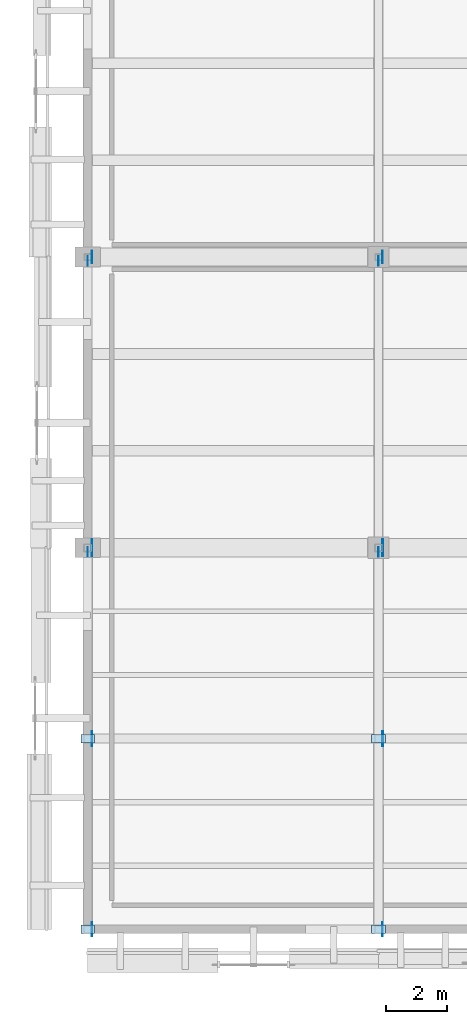
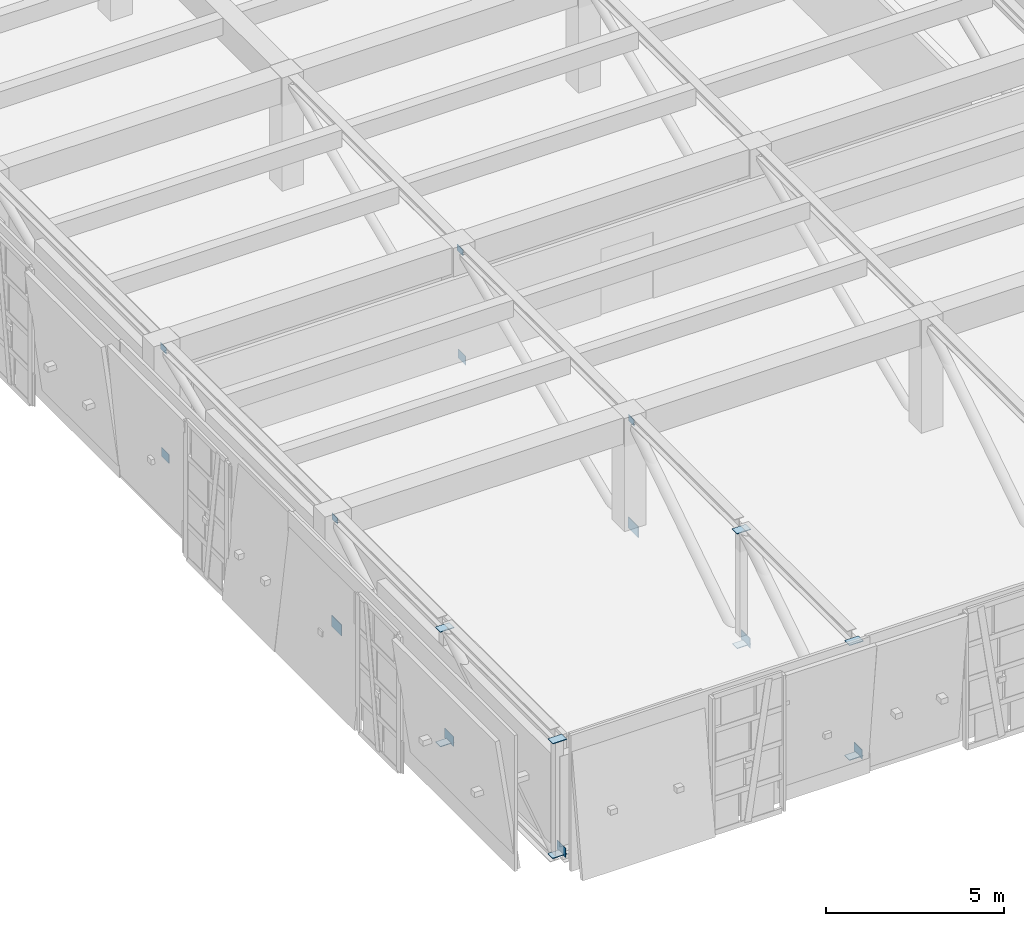
# One storey, part 35 of 62: 20 plates.
"""IFC4 building model written with IfcOpenShell, lengths in metres."""

import ifcopenshell
import ifcopenshell.guid

model = None  # the IFC model being written
_history = None  # IfcOwnerHistory: only IFC2X3 demands one
_inside = {}  # id of a spatial element -> (the spatial element, [elements in it])
_under = {}  # id of a project, library or spatial element -> (it, [spatial elements below it])
_declared = {}  # id of a project -> (the project, [libraries it declares])
_typed = {}  # id of a type object -> (the type object, [elements of that type])
_made_of = {}  # id of a material, layer set ... -> (it, [elements and type objects made of it])


def new_model(schema):
    """Start an empty IFC model of exactly this schema.

    Asked for "IFC4X3", IfcOpenShell would pick the latest addendum, in which some entities
    have other attributes; the version numbers below select the first issue.
    IFC2X3 requires an IfcOwnerHistory on every rooted entity: one is made here for all.
    """
    global model, _history
    if schema == "IFC4X3":
        model = ifcopenshell.file(schema_version=(4, 3, 0, 0))
    else:
        model = ifcopenshell.file(schema=schema)
    _inside.clear()
    _under.clear()
    _declared.clear()
    _typed.clear()
    _made_of.clear()
    _history = None
    if model.schema == "IFC2X3":
        org = make("IfcOrganization", Name="unknown")
        user = make(
            "IfcPersonAndOrganization",
            ThePerson=make("IfcPerson", FamilyName="unknown"),
            TheOrganization=org,
        )
        app = make(
            "IfcApplication",
            ApplicationDeveloper=org,
            Version="unknown",
            ApplicationFullName="unknown",
            ApplicationIdentifier="unknown",
        )
        _history = make(
            "IfcOwnerHistory",
            OwningUser=user,
            OwningApplication=app,
            ChangeAction="ADDED",
            CreationDate=0,
        )
    return model


def make(cls, **values):
    """One entity of the class cls with the attributes given. An attribute that is None is left unset."""
    return model.create_entity(
        cls, **{name: value for name, value in values.items() if value is not None}
    )


def rooted(cls, **values):
    """An entity with a GlobalId (a new one), such as an element, a storey or a relation."""
    return make(cls, GlobalId=ifcopenshell.guid.new(), OwnerHistory=_history, **values)


def si_unit(unit_type, name, prefix=None):
    """IfcSIUnit, for example si_unit("LENGTHUNIT", "METRE", prefix="MILLI")."""
    return make("IfcSIUnit", UnitType=unit_type, Prefix=prefix, Name=name)


def assignment(units):
    """IfcUnitAssignment: the units of a project."""
    return None if units is None else make("IfcUnitAssignment", Units=units)


def point(xyz):
    """IfcCartesianPoint."""
    return None if xyz is None else make("IfcCartesianPoint", Coordinates=xyz)


def direction(xyz):
    """IfcDirection."""
    return None if xyz is None else make("IfcDirection", DirectionRatios=xyz)


def frame(location, z_axis=None, x_axis=None):
    """IfcAxis2Placement3D, a coordinate frame: its origin and axes. An axis left out is left unset."""
    return make(
        "IfcAxis2Placement3D",
        Location=point(location),
        Axis=direction(z_axis),
        RefDirection=direction(x_axis),
    )


def frame_2d(location, x_axis=None):
    """IfcAxis2Placement2D, a coordinate frame in the plane: its origin and x axis."""
    return make(
        "IfcAxis2Placement2D", Location=point(location), RefDirection=direction(x_axis)
    )


def origin():
    """The frame at (0, 0, 0) with its axes left unset."""
    return frame((0.0, 0.0, 0.0))


def origin_2d():
    """The frame at (0, 0) in the plane with its x axis left unset."""
    return frame_2d((0.0, 0.0))


def place(relative_to, where):
    """IfcLocalPlacement: puts the frame where relative to a parent placement (None: the world)."""
    return make(
        "IfcLocalPlacement", PlacementRelTo=relative_to, RelativePlacement=where
    )


def context(
    kind, dimensions, precision=None, world=None, true_north=None, identifier=None
):
    """IfcGeometricRepresentationContext, for example the 3D "Model" context."""
    return make(
        "IfcGeometricRepresentationContext",
        ContextIdentifier=identifier,
        ContextType=kind,
        CoordinateSpaceDimension=dimensions,
        Precision=precision,
        WorldCoordinateSystem=world,
        TrueNorth=true_north,
    )


def subcontext(parent, identifier, kind, view, scale=None):
    """IfcGeometricRepresentationSubContext, for example "Body" below "Model"."""
    return make(
        "IfcGeometricRepresentationSubContext",
        ContextIdentifier=identifier,
        ContextType=kind,
        ParentContext=parent,
        TargetScale=scale,
        TargetView=view,
    )


def project(units=None, contexts=None):
    """IfcProject with its units and contexts."""
    return rooted(
        "IfcProject",
        Name="project",
        RepresentationContexts=contexts,
        UnitsInContext=assignment(units),
    )


def spatial(cls, under=None, at=None, **own):
    """A site, building, storey or space (cls), placed at a placement, below another one or the project."""
    s = rooted(cls, ObjectPlacement=at, **own)
    if under is not None:
        _under.setdefault(under.id(), (under, []))[1].append(s)
    return s


def profile(cls, at=None, kind="AREA", **sizes):
    """A parametric profile (cls). Its sizes go by their IFC names, for example OverallWidth=200.0."""
    return make(cls, ProfileType=kind, Position=at, **sizes)


def rectangle(**sizes):
    """IfcRectangleProfileDef."""
    return profile("IfcRectangleProfileDef", **sizes)


def extrude(swept, where, along, depth):
    """IfcExtrudedAreaSolid: the profile swept, set in the frame where, extruded along a direction by depth."""
    return make(
        "IfcExtrudedAreaSolid",
        SweptArea=swept,
        Position=where,
        ExtrudedDirection=direction(along),
        Depth=depth,
    )


def shape(context_of_items, identifier, shape_type, items):
    """IfcShapeRepresentation: the items that make up one representation, for example the "Body"."""
    return make(
        "IfcShapeRepresentation",
        ContextOfItems=context_of_items,
        RepresentationIdentifier=identifier,
        RepresentationType=shape_type,
        Items=items,
    )


def material(Name=None, Category=None):
    """IfcMaterial."""
    return make("IfcMaterial", Name=Name, Category=Category)


def layer(
    of_material, thickness, ventilated=None, Name=None, Category=None, Priority=None
):
    """IfcMaterialLayer: one layer of a wall or slab, of a material (None: an air gap)."""
    return make(
        "IfcMaterialLayer",
        Material=of_material,
        LayerThickness=thickness,
        IsVentilated=ventilated,
        Name=Name,
        Category=Category,
        Priority=Priority,
    )


def layer_set(layers, Name=None):
    """IfcMaterialLayerSet."""
    return make("IfcMaterialLayerSet", MaterialLayers=layers, LayerSetName=Name)


def made_of(thing, what):
    """Note that an element or type object is made of a material, layer set ...; save() writes the relation."""
    if what is not None:
        _made_of.setdefault(what.id(), (what, []))[1].append(thing)
    return thing


def type_object(cls, material=None, **own):
    """A type object (cls), such as IfcWallType, which elements share."""
    return made_of(rooted(cls, **own), material)


def element(
    cls,
    number,
    at=None,
    inside=None,
    cuts=None,
    type_object=None,
    material=None,
    context=None,
    identifier="Body",
    shape_type=None,
    held_by="IfcProductDefinitionShape",
    body=None,
    shapes=None,
    **own,
):
    """One element of the class cls, such as IfcWall. Its Tag is "e" and its number.

    at: its placement. inside: the storey or other place that contains it. cuts: it is an
    opening in that element (IfcRelVoidsElement). A single representation is given by context,
    identifier, shape_type and body (its items); several are given by shapes. held_by: the class
    of the entity that holds the representations. save() writes the other relations.
    """
    e = rooted(cls, Tag="e%d" % number, ObjectPlacement=at, **own)
    if body is not None:
        shapes = [shape(context, identifier, shape_type, body)]
    if shapes is not None:
        e.Representation = make(held_by, Representations=shapes)
    if inside is not None:
        _inside.setdefault(inside.id(), (inside, []))[1].append(e)
    if cuts is not None:
        rooted(
            "IfcRelVoidsElement", RelatingBuildingElement=cuts, RelatedOpeningElement=e
        )
    if type_object is not None:
        _typed.setdefault(type_object.id(), (type_object, []))[1].append(e)
    return made_of(e, material)


def aggregate(whole, parts):
    """IfcRelAggregates: a whole, such as a stair, and the parts it consists of."""
    return rooted("IfcRelAggregates", RelatingObject=whole, RelatedObjects=parts)


def save(model, path):
    """Write the relations noted so far, then the file.

    IfcRelAggregates (storeys below a building ...), IfcRelContainedInSpatialStructure (elements
    in a storey), IfcRelDefinesByType, IfcRelAssociatesMaterial and IfcRelDeclares: one each for
    every whole, place, type object, material and project.
    """
    for whole, parts in _under.values():
        aggregate(whole, parts)
    for where, things in _inside.values():
        rooted(
            "IfcRelContainedInSpatialStructure",
            RelatedElements=things,
            RelatingStructure=where,
        )
    for kind, things in _typed.values():
        rooted("IfcRelDefinesByType", RelatedObjects=things, RelatingType=kind)
    for what, things in _made_of.values():
        rooted("IfcRelAssociatesMaterial", RelatedObjects=things, RelatingMaterial=what)
    for by, libraries in _declared.values():
        rooted("IfcRelDeclares", RelatingContext=by, RelatedDefinitions=libraries)
    model.write(path)


model = new_model("IFC4")

# Units and contexts
model_context = context("Model", 3, precision=1e-05, world=origin(), true_north=direction((0.0, 1.0)))
body_context = subcontext(model_context, "Body", "Model", "MODEL_VIEW")
ifc_project = project(units=[si_unit("LENGTHUNIT", "METRE"), si_unit("AREAUNIT", "SQUARE_METRE"), si_unit("VOLUMEUNIT", "CUBIC_METRE"), si_unit("PLANEANGLEUNIT", "RADIAN"), si_unit("MASSUNIT", "GRAM", prefix="KILO")], contexts=[model_context])

# Site, building, storey
site_placement = place(None, origin())
site = spatial("IfcSite", under=ifc_project, at=site_placement, CompositionType="ELEMENT")
building_placement = place(site_placement, origin())
building = spatial("IfcBuilding", under=site, at=building_placement, Name="Bempovik Park Faculty of Sciences", CompositionType="ELEMENT")
storey_placement = place(building_placement, frame((0.0, 0.0, 9.89990234375)))
storey = spatial("IfcBuildingStorey", under=building, at=storey_placement, Name="L02", CompositionType="ELEMENT", Elevation=9.89990234375)

# Plates
ifc_material = material(Name="Steel S355", Category="steel")
ifc_layer_1 = layer(ifc_material, 0.01806640625)
ifc_layer_set_1 = layer_set([ifc_layer_1], Name="Steel S355")
plate_type_1 = type_object("IfcPlateType", Name="PL-22 Steel Plate 420x300x18", PredefinedType="SHEET", material=ifc_layer_set_1)
for number, where, z_axis, x_axis, name in (
    (1, (60.139892578125, 29.39990234375, -0.35009765625), (0.0, 0.0, 1.0), (1.0, 0.0, 0.0), "Cantilever Gusset Plate CT1-4-B"),
    (2, (69.739990234375, 29.39990234375, -0.35009765625), (0.0, 0.0, 1.0), (1.0, 0.0, 0.0), "Cantilever Gusset Plate CT2-4-B"),
):
    element("IfcPlate", number, at=place(storey_placement, frame(where, z_axis=z_axis, x_axis=x_axis)), inside=storey, type_object=plate_type_1, Name=name, PredefinedType="SHEET", context=body_context, shape_type="SweptSolid", body=[
        extrude(rectangle(XDim=0.01806640625, YDim=0.419921875, at=origin_2d()), origin(), (0.0, 0.0, 1.0), 0.300048828125),
    ])
ifc_layer_2 = layer(ifc_material, 0.02392578125)
ifc_layer_set_2 = layer_set([ifc_layer_2], Name="Steel S355")
plate_type_2 = type_object("IfcPlateType", Name="PL-25 Steel Plate 560x380x24", PredefinedType="SHEET", material=ifc_layer_set_2)
for number, where, z_axis, x_axis, name in (
    (3, (60.139892578125, 19.800048828125, -0.389892578125), (0.0, 0.0, 1.0), (1.0, 0.0, 0.0), "Cantilever Gusset Plate CT1-3-B"),
    (4, (69.739990234375, 19.800048828125, -0.389892578125), (0.0, 0.0, 1.0), (1.0, 0.0, 0.0), "Cantilever Gusset Plate CT2-3-B"),
):
    element("IfcPlate", number, at=place(storey_placement, frame(where, z_axis=z_axis, x_axis=x_axis)), inside=storey, type_object=plate_type_2, Name=name, PredefinedType="SHEET", context=body_context, shape_type="SweptSolid", body=[
        extrude(rectangle(XDim=0.02392578125, YDim=0.56005859375, at=origin_2d()), origin(), (0.0, 0.0, 1.0), 0.3798828125),
    ])
ifc_layer_3 = layer(ifc_material, 0.011962890625)
ifc_layer_set_3 = layer_set([ifc_layer_3], Name="Steel S355")
plate_type_3 = type_object("IfcPlateType", Name="PL-26 Steel Plate 320x220x12", PredefinedType="SHEET", material=ifc_layer_set_3)
for number, where, z_axis, x_axis, name in (
    (5, (60.0, 19.6650390625, 3.48388671875), (0.0, 0.0, 1.0), (1.0, 0.0, 0.0), "Brace/Strut End Gusset Plate CT1-BRL2-2-E2"),
    (6, (60.0, 29.264892578125, 3.48388671875), (0.0, 0.0, 1.0), (1.0, 0.0, 0.0), "Brace/Strut End Gusset Plate CT1-BRL2-3-E2"),
    (7, (69.60009765625, 19.6650390625, 3.48388671875), (0.0, 0.0, 1.0), (1.0, 0.0, 0.0), "Brace/Strut End Gusset Plate CT2-BRL2-2-E2"),
    (8, (69.60009765625, 29.264892578125, 3.48388671875), (0.0, 0.0, 1.0), (1.0, 0.0, 0.0), "Brace/Strut End Gusset Plate CT2-BRL2-3-E2"),
):
    element("IfcPlate", number, at=place(storey_placement, frame(where, z_axis=z_axis, x_axis=x_axis)), inside=storey, type_object=plate_type_3, Name=name, PredefinedType="SHEET", context=body_context, shape_type="SweptSolid", body=[
        extrude(rectangle(XDim=0.011962890625, YDim=0.320068359375, at=origin_2d()), origin(), (0.0, 0.0, 1.0), 0.219970703125),
    ])
ifc_layer_4 = layer(ifc_material, 0.02001953125)
ifc_layer_set_4 = layer_set([ifc_layer_4], Name="Steel S355")
plate_type_4 = type_object("IfcPlateType", Name="PL-30 Steel Plate 460x320x20", PredefinedType="SHEET", material=ifc_layer_set_4)
for number, where, z_axis, x_axis, name in (
    (9, (60.139892578125, 7.199951171875, -0.35986328125), (0.0, 0.0, 1.0), (1.0, 0.0, 0.0), "Cantilever Gusset Plate CT1-1-B"),
    (10, (69.739990234375, 7.199951171875, -0.35986328125), (0.0, 0.0, 1.0), (1.0, 0.0, 0.0), "Cantilever Gusset Plate CT2-1-B"),
):
    element("IfcPlate", number, at=place(storey_placement, frame(where, z_axis=z_axis, x_axis=x_axis)), inside=storey, type_object=plate_type_4, Name=name, PredefinedType="SHEET", context=body_context, shape_type="SweptSolid", body=[
        extrude(rectangle(XDim=0.02001953125, YDim=0.4599609375, at=origin_2d()), origin(), (0.0, 0.0, 1.0), 0.320068359375),
    ])
ifc_layer_5 = layer(ifc_material, 0.02001953125)
ifc_layer_set_5 = layer_set([ifc_layer_5], Name="Steel S355")
plate_type_5 = type_object("IfcPlateType", Name="PL-36 Steel Plate 450x280x20", PredefinedType="USERDEFINED", material=ifc_layer_set_5)
for number, where, z_axis, x_axis, name in (
    (11, (60.0, 7.199951171875, 3.592041015625), (0.0, 0.0, 1.0), (1.0, 0.0, 0.0), "Cantilever Post End Cap Plate CT1-1-M"),
    (12, (60.0, 7.199951171875, -0.33203125), (0.0, 0.0, 1.0), (1.0, 0.0, 0.0), "Cantilever Post End Cap Plate CT1-1-B"),
    (13, (60.0, 13.5, 3.592041015625), (0.0, 0.0, 1.0), (1.0, 0.0, 0.0), "Cantilever Post End Cap Plate CT1-2-M"),
    (14, (60.0, 13.5, -0.33203125), (0.0, 0.0, 1.0), (1.0, 0.0, 0.0), "Cantilever Post End Cap Plate CT1-2-B"),
    (15, (69.60009765625, 7.199951171875, 3.592041015625), (0.0, 0.0, 1.0), (1.0, 0.0, 0.0), "Cantilever Post End Cap Plate CT2-1-M"),
    (16, (69.60009765625, 7.199951171875, -0.33203125), (0.0, 0.0, 1.0), (1.0, 0.0, 0.0), "Cantilever Post End Cap Plate CT2-1-B"),
    (17, (69.60009765625, 13.5, 3.592041015625), (0.0, 0.0, 1.0), (1.0, 0.0, 0.0), "Cantilever Post End Cap Plate CT2-2-M"),
    (18, (69.60009765625, 13.5, -0.33203125), (0.0, 0.0, 1.0), (1.0, 0.0, 0.0), "Cantilever Post End Cap Plate CT2-2-B"),
):
    element("IfcPlate", number, at=place(storey_placement, frame(where, z_axis=z_axis, x_axis=x_axis)), inside=storey, type_object=plate_type_5, Name=name, ObjectType="STIFFENER PLATE", PredefinedType="USERDEFINED", context=body_context, shape_type="SweptSolid", body=[
        extrude(rectangle(XDim=0.449951171875, YDim=0.280029296875, at=origin_2d()), origin(), (0.0, 0.0, 1.0), 0.02001953125),
    ])
ifc_layer_6 = layer(ifc_material, 0.02197265625)
ifc_layer_set_6 = layer_set([ifc_layer_6], Name="Steel S355")
plate_type_6 = type_object("IfcPlateType", Name="PL-46 Steel Plate 500x340x22", PredefinedType="SHEET", material=ifc_layer_set_6)
for number, where, z_axis, x_axis, name in (
    (19, (60.139892578125, 13.5, -0.3701171875), (0.0, 0.0, 1.0), (1.0, 0.0, 0.0), "Cantilever Gusset Plate CT1-2-B"),
    (20, (69.739990234375, 13.5, -0.3701171875), (0.0, 0.0, 1.0), (1.0, 0.0, 0.0), "Cantilever Gusset Plate CT2-2-B"),
):
    element("IfcPlate", number, at=place(storey_placement, frame(where, z_axis=z_axis, x_axis=x_axis)), inside=storey, type_object=plate_type_6, Name=name, PredefinedType="SHEET", context=body_context, shape_type="SweptSolid", body=[
        extrude(rectangle(XDim=0.02197265625, YDim=0.5, at=origin_2d()), origin(), (0.0, 0.0, 1.0), 0.340087890625),
    ])

save(model, "model.ifc")
